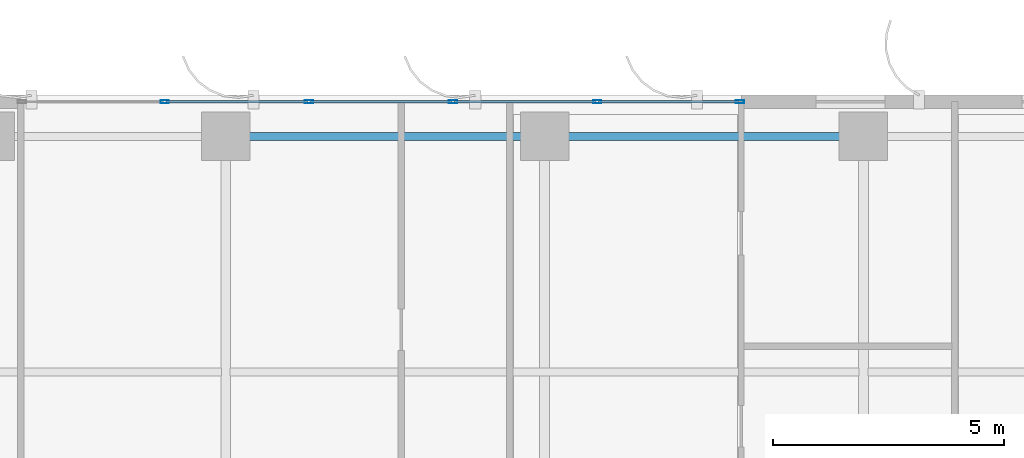
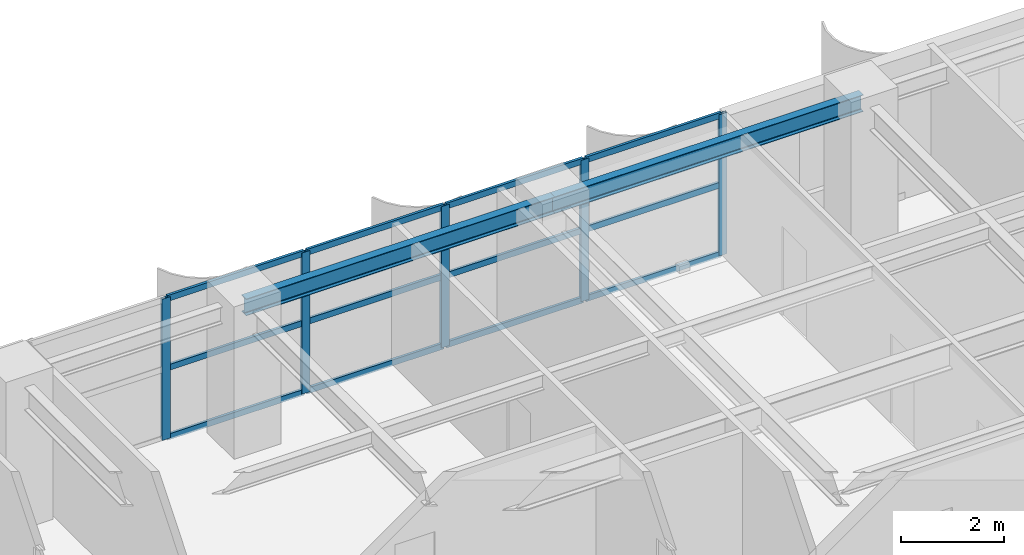
# One storey, part 11 of 22: 17 members, 2 beams, 1 element without a shape of its own.
"""IFC4 building model written with IfcOpenShell, lengths in metres."""

from ifc_helpers import new_model, si_unit, direction, frame, origin, origin_2d, place, context, subcontext, project, spatial, hollow_rectangle, i_section, extrude, source, transform, mapped, material, layer, layer_set, material_profile, profile_set, type_object, element, aggregate, save


model = new_model("IFC4")

# Units and contexts
model_context = context("Model", 3, precision=1e-05, world=origin(), true_north=direction((0.0, 1.0)))
body_context = subcontext(model_context, "Body", "Model", "MODEL_VIEW")
ifc_project = project(units=[si_unit("LENGTHUNIT", "METRE"), si_unit("AREAUNIT", "SQUARE_METRE"), si_unit("VOLUMEUNIT", "CUBIC_METRE"), si_unit("PLANEANGLEUNIT", "RADIAN"), si_unit("MASSUNIT", "GRAM", prefix="KILO")], contexts=[model_context])

# Site, building, storey
site_placement = place(None, origin())
site = spatial("IfcSite", under=ifc_project, at=site_placement, CompositionType="ELEMENT")
building_placement = place(site_placement, origin())
building = spatial("IfcBuilding", under=site, at=building_placement, Name="Khoralis Quay Care Tower", CompositionType="ELEMENT")
storey_placement = place(building_placement, frame((0.0, 0.0, 101.699951171875)))
storey = spatial("IfcBuildingStorey", under=building, at=storey_placement, Name="L26", CompositionType="ELEMENT", Elevation=101.699951171875)

# Beams
ifc_material_1 = material(Name="Steel S355", Category="steel")
ifc_material_profile_1 = material_profile(ifc_material_1, i_section(OverallWidth=0.179931640625, OverallDepth=0.39990234375, WebThickness=0.008544921875, FlangeThickness=0.013427734375, FilletRadius=0.02099609375, at=origin_2d()), Name="Steel S355")
ifc_profile_set_1 = profile_set([ifc_material_profile_1], Name="Steel S355")
beam_type = type_object("IfcBeamType", Name="BM-IPE400", PredefinedType="SPANDREL", material=ifc_profile_set_1)
shared_shape_1 = source(origin(), body_context, "Body", "SweptSolid", [
    extrude(i_section(OverallWidth=0.179931640625, OverallDepth=0.39990234375, WebThickness=0.008544921875, FlangeThickness=0.013427734375, FilletRadius=0.02099609375, at=origin_2d()), origin(), (0.0, 0.0, 1.0), 6.89990234375),
])
for number, where, z_axis, x_axis, name in (
    (1, (17.10009765625, 44.10009765625, 3.14013671875), (1.0, 0.0, 0.0), (0.0, 1.0, 0.0), "BM-TSP-L26-08"),
    (2, (24.0, 44.10009765625, 3.14013671875), (1.0, 0.0, 0.0), (0.0, 1.0, 0.0), "BM-TSP-L26-09"),
):
    element("IfcBeam", number, at=place(storey_placement, frame(where, z_axis=z_axis, x_axis=x_axis)), inside=storey, type_object=beam_type, Name=name, PredefinedType="SPANDREL", context=body_context, shape_type="MappedRepresentation", body=[
        mapped(shared_shape_1, transform((0.0, 0.0, 0.0), scale=1.0)),
    ])

# Curtain wall, members
ifc_material_2 = material(Name="Pale anodised aluminium", Category="aluminium")
ifc_layer = layer(ifc_material_2, 0.169921875)
ifc_layer_set = layer_set([ifc_layer], Name="Pale anodised aluminium")
curtain_wall_type = type_object("IfcCurtainWallType", Name="CW-SYS-Z2", PredefinedType="NOTDEFINED", material=ifc_layer_set)
curtain_wall_placement = place(storey_placement, origin())
curtain_wall = element("IfcCurtainWall", 3, at=curtain_wall_placement, inside=storey, type_object=curtain_wall_type, Name="L26 Unitised Curtain Wall CW-L26-P1-E10", PredefinedType="NOTDEFINED")
ifc_material_profile_2 = material_profile(ifc_material_2, hollow_rectangle(XDim=0.06494140625, YDim=0.179931640625, WallThickness=0.00390625, at=origin_2d()), Name="Pale anodised aluminium")
ifc_profile_set_2 = profile_set([ifc_material_profile_2], Name="Pale anodised aluminium")
member_type_1 = type_object("IfcMemberType", Name="CW-MUL-180", PredefinedType="MULLION", material=ifc_profile_set_2)
shared_shape_2 = source(origin(), body_context, "Body", "SweptSolid", [
    extrude(hollow_rectangle(XDim=0.06494140625, YDim=0.179931640625, WallThickness=0.00390625, at=origin_2d()), origin(), (0.0, 0.0, 1.0), 3.340087890625),
])
member_1_placement = place(storey_placement, frame((28.22802734375, 44.85009765625, 0.0), z_axis=(0.0, 0.0, 1.0), x_axis=(0.0, -1.0, 0.0)))
member_1 = element("IfcMember", 4, at=member_1_placement, type_object=member_type_1, Name="CW2 mullion 1", PredefinedType="MULLION", context=body_context, shape_type="MappedRepresentation", body=[
    mapped(shared_shape_2, transform((0.0, 0.0, 0.0), scale=1.0)),
])
member_2_placement = place(storey_placement, frame((25.138427734375, 44.85009765625, 0.0), z_axis=(0.0, 0.0, 1.0), x_axis=(0.0, -1.0, 0.0)))
member_2 = element("IfcMember", 5, at=member_2_placement, type_object=member_type_1, Name="CW2 mullion 2", PredefinedType="MULLION", context=body_context, shape_type="MappedRepresentation", body=[
    mapped(shared_shape_2, transform((0.0, 0.0, 0.0), scale=1.0)),
])
member_3_placement = place(storey_placement, frame((22.018798828125, 44.85009765625, 0.0), z_axis=(0.0, 0.0, 1.0), x_axis=(0.0, -1.0, 0.0)))
member_3 = element("IfcMember", 6, at=member_3_placement, type_object=member_type_1, Name="CW2 mullion 3", PredefinedType="MULLION", context=body_context, shape_type="MappedRepresentation", body=[
    mapped(shared_shape_2, transform((0.0, 0.0, 0.0), scale=1.0)),
])
member_4_placement = place(storey_placement, frame((18.899169921875, 44.85009765625, 0.0), z_axis=(0.0, 0.0, 1.0), x_axis=(0.0, -1.0, 0.0)))
member_4 = element("IfcMember", 7, at=member_4_placement, type_object=member_type_1, Name="CW2 mullion 4", PredefinedType="MULLION", context=body_context, shape_type="MappedRepresentation", body=[
    mapped(shared_shape_2, transform((0.0, 0.0, 0.0), scale=1.0)),
])
member_5_placement = place(storey_placement, frame((15.779541015625, 44.85009765625, 0.0), z_axis=(0.0, 0.0, 1.0), x_axis=(0.0, -1.0, 0.0)))
member_5 = element("IfcMember", 8, at=member_5_placement, type_object=member_type_1, Name="CW2 mullion 5", PredefinedType="MULLION", context=body_context, shape_type="MappedRepresentation", body=[
    mapped(shared_shape_2, transform((0.0, 0.0, 0.0), scale=1.0)),
])
ifc_material_profile_3 = material_profile(ifc_material_2, hollow_rectangle(XDim=0.06005859375, YDim=0.139892578125, WallThickness=0.00390625, at=origin_2d()), Name="Pale anodised aluminium")
ifc_profile_set_3 = profile_set([ifc_material_profile_3], Name="Pale anodised aluminium")
member_type_2 = type_object("IfcMemberType", Name="CW-TRN-140", PredefinedType="USERDEFINED", material=ifc_profile_set_3)
shared_shape_3 = source(origin(), body_context, "Body", "SweptSolid", [
    extrude(hollow_rectangle(XDim=0.06005859375, YDim=0.139892578125, WallThickness=0.00390625, at=origin_2d()), origin(), (0.0, 0.0, 1.0), 3.029541015625),
])
member_6_placement = place(storey_placement, frame((28.197998046875, 44.85009765625, 0.030029296875), z_axis=(-1.0, 0.0, 0.0), x_axis=(0.0, -1.0, 0.0)))
member_6 = element("IfcMember", 9, at=member_6_placement, type_object=member_type_2, Name="CW2 transom 1.1", ObjectType="TRANSOM", PredefinedType="USERDEFINED", context=body_context, shape_type="MappedRepresentation", body=[
    mapped(shared_shape_3, transform((0.0, 0.0, 0.0), scale=1.0)),
])
member_7_placement = place(storey_placement, frame((28.197998046875, 44.85009765625, 1.670166015625), z_axis=(-1.0, 0.0, 0.0), x_axis=(0.0, -1.0, 0.0)))
member_7 = element("IfcMember", 10, at=member_7_placement, type_object=member_type_2, Name="CW2 transom 1.2", ObjectType="TRANSOM", PredefinedType="USERDEFINED", context=body_context, shape_type="MappedRepresentation", body=[
    mapped(shared_shape_3, transform((0.0, 0.0, 0.0), scale=1.0)),
])
member_8_placement = place(storey_placement, frame((28.197998046875, 44.85009765625, 3.31005859375), z_axis=(-1.0, 0.0, 0.0), x_axis=(0.0, -1.0, 0.0)))
member_8 = element("IfcMember", 11, at=member_8_placement, type_object=member_type_2, Name="CW2 transom 1.3", ObjectType="TRANSOM", PredefinedType="USERDEFINED", context=body_context, shape_type="MappedRepresentation", body=[
    mapped(shared_shape_3, transform((0.0, 0.0, 0.0), scale=1.0)),
])
shared_shape_4 = source(origin(), body_context, "Body", "SweptSolid", [
    extrude(hollow_rectangle(XDim=0.06005859375, YDim=0.139892578125, WallThickness=0.00390625, at=origin_2d()), origin(), (0.0, 0.0, 1.0), 3.0595703125),
])
member_9_placement = place(storey_placement, frame((25.1083984375, 44.85009765625, 0.030029296875), z_axis=(-1.0, 0.0, 0.0), x_axis=(0.0, -1.0, 0.0)))
member_9 = element("IfcMember", 12, at=member_9_placement, type_object=member_type_2, Name="CW2 transom 2.1", ObjectType="TRANSOM", PredefinedType="USERDEFINED", context=body_context, shape_type="MappedRepresentation", body=[
    mapped(shared_shape_4, transform((0.0, 0.0, 0.0), scale=1.0)),
])
member_10_placement = place(storey_placement, frame((25.1083984375, 44.85009765625, 1.670166015625), z_axis=(-1.0, 0.0, 0.0), x_axis=(0.0, -1.0, 0.0)))
member_10 = element("IfcMember", 13, at=member_10_placement, type_object=member_type_2, Name="CW2 transom 2.2", ObjectType="TRANSOM", PredefinedType="USERDEFINED", context=body_context, shape_type="MappedRepresentation", body=[
    mapped(shared_shape_4, transform((0.0, 0.0, 0.0), scale=1.0)),
])
member_11_placement = place(storey_placement, frame((25.1083984375, 44.85009765625, 3.31005859375), z_axis=(-1.0, 0.0, 0.0), x_axis=(0.0, -1.0, 0.0)))
member_11 = element("IfcMember", 14, at=member_11_placement, type_object=member_type_2, Name="CW2 transom 2.3", ObjectType="TRANSOM", PredefinedType="USERDEFINED", context=body_context, shape_type="MappedRepresentation", body=[
    mapped(shared_shape_4, transform((0.0, 0.0, 0.0), scale=1.0)),
])
member_12_placement = place(storey_placement, frame((21.98876953125, 44.85009765625, 0.030029296875), z_axis=(-1.0, 0.0, 0.0), x_axis=(0.0, -1.0, 0.0)))
member_12 = element("IfcMember", 15, at=member_12_placement, type_object=member_type_2, Name="CW2 transom 3.1", ObjectType="TRANSOM", PredefinedType="USERDEFINED", context=body_context, shape_type="MappedRepresentation", body=[
    mapped(shared_shape_4, transform((0.0, 0.0, 0.0), scale=1.0)),
])
member_13_placement = place(storey_placement, frame((21.98876953125, 44.85009765625, 1.670166015625), z_axis=(-1.0, 0.0, 0.0), x_axis=(0.0, -1.0, 0.0)))
member_13 = element("IfcMember", 16, at=member_13_placement, type_object=member_type_2, Name="CW2 transom 3.2", ObjectType="TRANSOM", PredefinedType="USERDEFINED", context=body_context, shape_type="MappedRepresentation", body=[
    mapped(shared_shape_4, transform((0.0, 0.0, 0.0), scale=1.0)),
])
member_14_placement = place(storey_placement, frame((21.98876953125, 44.85009765625, 3.31005859375), z_axis=(-1.0, 0.0, 0.0), x_axis=(0.0, -1.0, 0.0)))
member_14 = element("IfcMember", 17, at=member_14_placement, type_object=member_type_2, Name="CW2 transom 3.3", ObjectType="TRANSOM", PredefinedType="USERDEFINED", context=body_context, shape_type="MappedRepresentation", body=[
    mapped(shared_shape_4, transform((0.0, 0.0, 0.0), scale=1.0)),
])
member_15_placement = place(storey_placement, frame((18.869140625, 44.85009765625, 0.030029296875), z_axis=(-1.0, 0.0, 0.0), x_axis=(0.0, -1.0, 0.0)))
member_15 = element("IfcMember", 18, at=member_15_placement, type_object=member_type_2, Name="CW2 transom 4.1", ObjectType="TRANSOM", PredefinedType="USERDEFINED", context=body_context, shape_type="MappedRepresentation", body=[
    mapped(shared_shape_4, transform((0.0, 0.0, 0.0), scale=1.0)),
])
member_16_placement = place(storey_placement, frame((18.869140625, 44.85009765625, 1.670166015625), z_axis=(-1.0, 0.0, 0.0), x_axis=(0.0, -1.0, 0.0)))
member_16 = element("IfcMember", 19, at=member_16_placement, type_object=member_type_2, Name="CW2 transom 4.2", ObjectType="TRANSOM", PredefinedType="USERDEFINED", context=body_context, shape_type="MappedRepresentation", body=[
    mapped(shared_shape_4, transform((0.0, 0.0, 0.0), scale=1.0)),
])
member_17_placement = place(storey_placement, frame((18.869140625, 44.85009765625, 3.31005859375), z_axis=(-1.0, 0.0, 0.0), x_axis=(0.0, -1.0, 0.0)))
member_17 = element("IfcMember", 20, at=member_17_placement, type_object=member_type_2, Name="CW2 transom 4.3", ObjectType="TRANSOM", PredefinedType="USERDEFINED", context=body_context, shape_type="MappedRepresentation", body=[
    mapped(shared_shape_4, transform((0.0, 0.0, 0.0), scale=1.0)),
])
aggregate(curtain_wall, [member_1, member_2, member_3, member_4, member_5, member_6, member_7, member_8, member_9, member_10, member_11, member_12, member_13, member_14, member_15, member_16, member_17])

save(model, "model.ifc")
